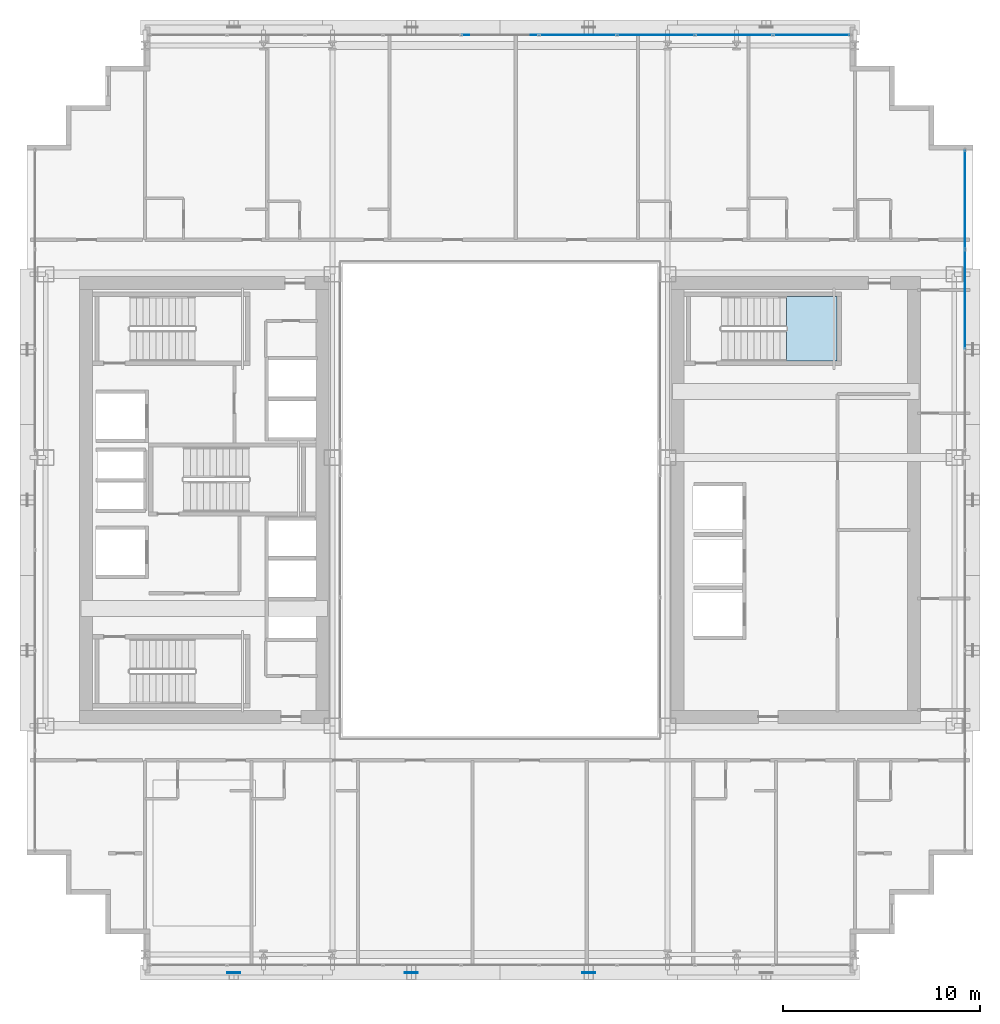
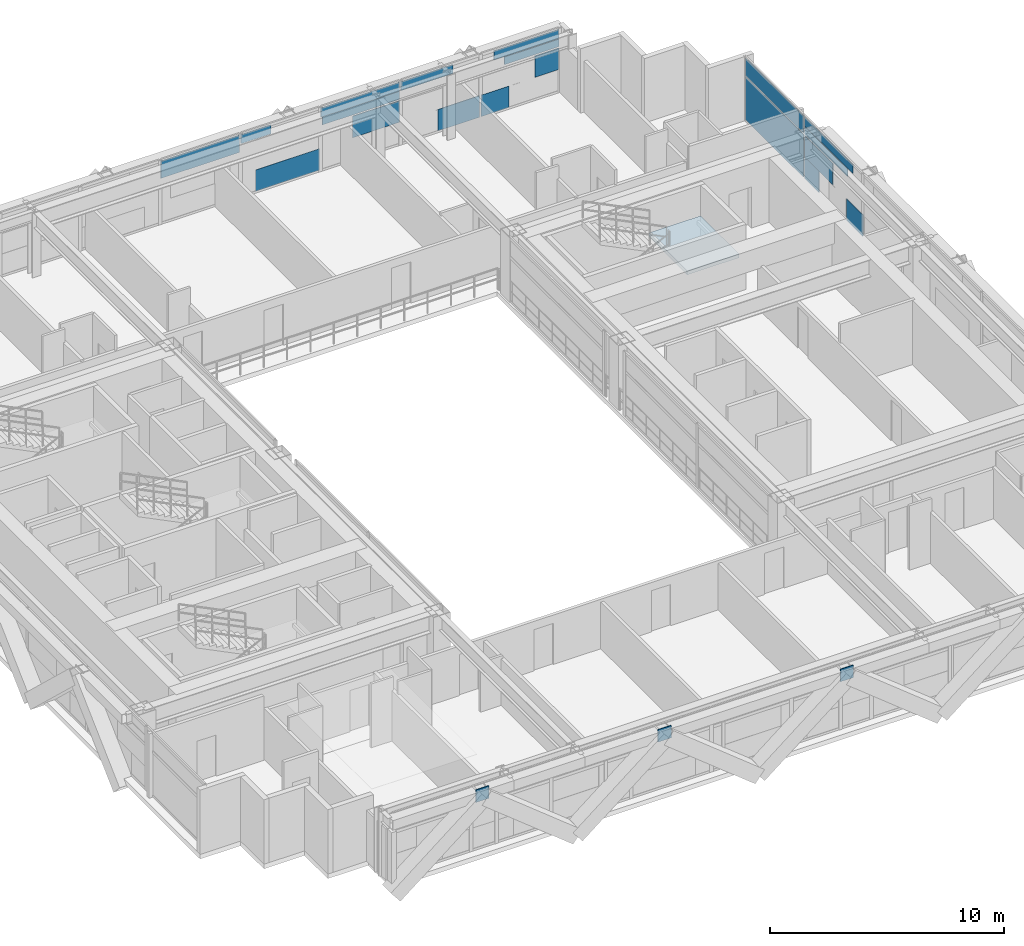
# One storey, part 28 of 39: 22 plates, 1 slab, 3 elements without a shape of their own.
"""IFC4 building model written with IfcOpenShell, lengths in metres."""

from ifc_helpers import new_model, si_unit, direction, frame, origin, origin_2d, place, context, subcontext, project, spatial, polyline, rectangle, outline, extrude, source, transform, mapped, material, layer, layer_set, type_object, element, aggregate, save


model = new_model("IFC4")

# Units and contexts
model_context = context("Model", 3, precision=1e-05, world=origin(), true_north=direction((0.0, 1.0)))
body_context = subcontext(model_context, "Body", "Model", "MODEL_VIEW")
ifc_project = project(units=[si_unit("LENGTHUNIT", "METRE"), si_unit("AREAUNIT", "SQUARE_METRE"), si_unit("VOLUMEUNIT", "CUBIC_METRE"), si_unit("PLANEANGLEUNIT", "RADIAN"), si_unit("MASSUNIT", "GRAM", prefix="KILO")], contexts=[model_context])

# Site, building, storey
site_placement = place(None, origin())
site = spatial("IfcSite", under=ifc_project, at=site_placement, CompositionType="ELEMENT")
building_placement = place(site_placement, origin())
building = spatial("IfcBuilding", under=site, at=building_placement, Name="Ocotamira Hotel", CompositionType="ELEMENT")
storey_placement = place(building_placement, frame((0.0, 0.0, 126.0)))
storey = spatial("IfcBuildingStorey", under=building, at=storey_placement, Name="L31", CompositionType="ELEMENT", Elevation=126.0)

# Stair, slab
ifc_material_1 = material(Name="Concrete C40/50", Category="concrete")
stair_type = type_object("IfcStairType", Name="ST-CORE-1560", PredefinedType="HALF_TURN_STAIR", material=ifc_material_1)
stair_placement = place(storey_placement, origin())
stair = element("IfcStair", 1, at=stair_placement, inside=storey, type_object=stair_type, Name="L31 Exit Stair ST-4", PredefinedType="HALF_TURN_STAIR")
ifc_layer_1 = layer(ifc_material_1, 0.199951171875)
ifc_layer_set_1 = layer_set([ifc_layer_1], Name="Concrete C40/50")
slab_type = type_object("IfcSlabType", Name="SLB-LAND-200", PredefinedType="LANDING", material=ifc_layer_set_1)
slab_placement = place(storey_placement, frame((0.0, 0.0, 1.60009765625)))
slab = element("IfcSlab", 2, at=slab_placement, type_object=slab_type, Name="ST-4 landing 1", PredefinedType="LANDING", context=body_context, shape_type="SweptSolid", body=[
    extrude(outline(polyline([(46.530029296875, 33.050048828125), (49.090087890625, 33.050048828125), (49.090087890625, 36.330078125), (46.530029296875, 36.330078125), (46.530029296875, 33.050048828125)])), origin(), (0.0, 0.0, 1.0), 0.199951171875),
])
aggregate(stair, [slab])

# Plates
ifc_material_2 = material(Name="Pale-metal coated steel ASTM A572 Grade 50", Category="steel")
ifc_layer_2 = layer(ifc_material_2, 0.0400390625)
ifc_layer_set_2 = layer_set([ifc_layer_2], Name="Pale-metal coated steel ASTM A572 Grade 50")
plate_type_1 = type_object("IfcPlateType", Name="PLT-GUSSET-40", PredefinedType="SHEET", material=ifc_layer_set_2)
shared_shape_1 = source(origin(), body_context, "Body", "SweptSolid", [
    extrude(rectangle(XDim=0.64990234375, YDim=0.0400390625, at=origin_2d()), origin(), (0.0, 0.0, 1.0), 0.64990234375),
])
for number, where, z_axis, x_axis, name in (
    (3, (18.5, 2.030029296875, 2.78515625), (0.0, 0.0, 1.0), (1.0, 0.0, 0.0), "L31 Exoskeleton Diagrid S0.1 End Gusset B"),
    (4, (27.5, 2.030029296875, 2.78515625), (0.0, 0.0, 1.0), (1.0, 0.0, 0.0), "L31 Exoskeleton Diagrid S1.1 End Gusset B"),
    (5, (36.5, 2.030029296875, 2.78515625), (0.0, 0.0, 1.0), (1.0, 0.0, 0.0), "L31 Exoskeleton Diagrid S2.1 End Gusset B"),
):
    element("IfcPlate", number, at=place(storey_placement, frame(where, z_axis=z_axis, x_axis=x_axis)), inside=storey, type_object=plate_type_1, Name=name, PredefinedType="SHEET", context=body_context, shape_type="MappedRepresentation", body=[
        mapped(shared_shape_1, transform((0.0, 0.0, 0.0), scale=1.0)),
    ])

# Curtain wall, plate
ifc_material_3 = material(Name="Anodised pale-metal aluminium and solar glass", Category="aluminium")
ifc_layer_3 = layer(ifc_material_3, 0.179931640625)
ifc_layer_set_3 = layer_set([ifc_layer_3], Name="Anodised pale-metal aluminium and solar glass")
curtain_wall_type = type_object("IfcCurtainWallType", Name="CW-SYS3-Z2", PredefinedType="NOTDEFINED", material=ifc_layer_set_3)
curtain_wall_1_placement = place(storey_placement, origin())
curtain_wall_1 = element("IfcCurtainWall", 6, at=curtain_wall_1_placement, inside=storey, type_object=curtain_wall_type, Name="L31 Curtain Wall CW-3 CW-L31-E", PredefinedType="NOTDEFINED")
ifc_material_4 = material(Name="Double-silver low-E insulated solar glass", Category="glass")
ifc_layer_4 = layer(ifc_material_4, 0.031982421875)
ifc_layer_set_4 = layer_set([ifc_layer_4], Name="Double-silver low-E insulated solar glass")
plate_type_2 = type_object("IfcPlateType", Name="CWP-VISION-32", PredefinedType="CURTAIN_PANEL", material=ifc_layer_set_4)
shared_shape_2 = source(origin(), body_context, "Body", "SweptSolid", [
    extrude(rectangle(XDim=4.9658203125, YDim=0.031982421875, at=origin_2d()), origin(), (0.0, 0.0, 1.0), 2.237548828125),
])
plate_1_placement = place(storey_placement, frame((55.580078125, 41.237060546875, 0.0751953125), z_axis=(0.0, 0.0, 1.0), x_axis=(0.0, 1.0, 0.0)))
plate_1 = element("IfcPlate", 7, at=plate_1_placement, type_object=plate_type_2, Name="CW-3 panel 7.1", PredefinedType="CURTAIN_PANEL", context=body_context, shape_type="MappedRepresentation", body=[
    mapped(shared_shape_2, transform((0.0, 0.0, 0.0), scale=1.0)),
])

# Curtain wall, plates
curtain_wall_2_placement = place(storey_placement, origin())
curtain_wall_2 = element("IfcCurtainWall", 8, at=curtain_wall_2_placement, inside=storey, type_object=curtain_wall_type, Name="L31 Curtain Wall CW-3 CW-L31-N", PredefinedType="NOTDEFINED")
shared_shape_3 = source(origin(), body_context, "Body", "SweptSolid", [
    extrude(rectangle(XDim=1.184326171875, YDim=0.031982421875, at=origin_2d()), origin(), (0.0, 0.0, 1.0), 1.118896484375),
])
plate_2_placement = place(storey_placement, frame((49.127685546875, 49.580078125, 1.19384765625), z_axis=(0.0, 0.0, 1.0), x_axis=(1.0, 0.0, 0.0)))
plate_2 = element("IfcPlate", 9, at=plate_2_placement, type_object=plate_type_2, Name="CW-3 panel 9.1.2", PredefinedType="CURTAIN_PANEL", context=body_context, shape_type="MappedRepresentation", body=[
    mapped(shared_shape_3, transform((0.0, 0.0, 0.0), scale=1.0)),
])
shared_shape_4 = source(origin(), body_context, "Body", "SweptSolid", [
    extrude(rectangle(XDim=1.37060546875, YDim=0.031982421875, at=origin_2d()), origin(), (0.0, 0.0, 1.0), 1.11865234375),
])
plate_3_placement = place(storey_placement, frame((46.569580078125, 49.580078125, 0.0751953125), z_axis=(0.0, 0.0, 1.0), x_axis=(1.0, 0.0, 0.0)))
plate_3 = element("IfcPlate", 10, at=plate_3_placement, type_object=plate_type_2, Name="CW-3 panel 9.1.1", PredefinedType="CURTAIN_PANEL", context=body_context, shape_type="MappedRepresentation", body=[
    mapped(shared_shape_4, transform((0.0, 0.0, 0.0), scale=1.0)),
])
shared_shape_5 = source(origin(), body_context, "Body", "SweptSolid", [
    extrude(rectangle(XDim=2.676513671875, YDim=0.031982421875, at=origin_2d()), origin(), (0.0, 0.0, 1.0), 0.39453125),
])
plate_4_placement = place(storey_placement, frame((48.381591796875, 49.580078125, 2.387451171875), z_axis=(0.0, 0.0, 1.0), x_axis=(1.0, 0.0, 0.0)))
plate_4 = element("IfcPlate", 11, at=plate_4_placement, type_object=plate_type_2, Name="CW-3 panel 9.2.2", PredefinedType="CURTAIN_PANEL", context=body_context, shape_type="MappedRepresentation", body=[
    mapped(shared_shape_5, transform((0.0, 0.0, 0.0), scale=1.0)),
])
shared_shape_6 = source(origin(), body_context, "Body", "SweptSolid", [
    extrude(rectangle(XDim=3.208740234375, YDim=0.031982421875, at=origin_2d()), origin(), (0.0, 0.0, 1.0), 0.4716796875),
])
plate_5_placement = place(storey_placement, frame((48.115478515625, 49.580078125, 2.813232421875), z_axis=(0.0, 0.0, 1.0), x_axis=(1.0, 0.0, 0.0)))
plate_5 = element("IfcPlate", 12, at=plate_5_placement, type_object=plate_type_2, Name="CW-3 panel 9.2.1", PredefinedType="CURTAIN_PANEL", context=body_context, shape_type="MappedRepresentation", body=[
    mapped(shared_shape_6, transform((0.0, 0.0, 0.0), scale=1.0)),
])
shared_shape_7 = source(origin(), body_context, "Body", "SweptSolid", [
    extrude(rectangle(XDim=2.059326171875, YDim=0.031982421875, at=origin_2d()), origin(), (0.0, 0.0, 1.0), 1.11865234375),
])
plate_6_placement = place(storey_placement, frame((44.774658203125, 49.580078125, 0.0751953125), z_axis=(0.0, 0.0, 1.0), x_axis=(1.0, 0.0, 0.0)))
plate_6 = element("IfcPlate", 13, at=plate_6_placement, type_object=plate_type_2, Name="CW-3 panel 8.1.1", PredefinedType="CURTAIN_PANEL", context=body_context, shape_type="MappedRepresentation", body=[
    mapped(shared_shape_7, transform((0.0, 0.0, 0.0), scale=1.0)),
])
shared_shape_8 = source(origin(), body_context, "Body", "SweptSolid", [
    extrude(rectangle(XDim=2.559814453125, YDim=0.031982421875, at=origin_2d()), origin(), (0.0, 0.0, 1.0), 0.4716796875),
])
plate_7_placement = place(storey_placement, frame((43.208740234375, 49.580078125, 2.813232421875), z_axis=(0.0, 0.0, 1.0), x_axis=(1.0, 0.0, 0.0)))
plate_7 = element("IfcPlate", 14, at=plate_7_placement, type_object=plate_type_2, Name="CW-3 panel 8.2.1", PredefinedType="CURTAIN_PANEL", context=body_context, shape_type="MappedRepresentation", body=[
    mapped(shared_shape_8, transform((0.0, 0.0, 0.0), scale=1.0)),
])
shared_shape_9 = source(origin(), body_context, "Body", "SweptSolid", [
    extrude(rectangle(XDim=2.313232421875, YDim=0.031982421875, at=origin_2d()), origin(), (0.0, 0.0, 1.0), 1.118896484375),
])
plate_8_placement = place(storey_placement, frame((40.6923828125, 49.580078125, 1.19384765625), z_axis=(0.0, 0.0, 1.0), x_axis=(1.0, 0.0, 0.0)))
plate_8 = element("IfcPlate", 15, at=plate_8_placement, type_object=plate_type_2, Name="CW-3 panel 7.1.1", PredefinedType="CURTAIN_PANEL", context=body_context, shape_type="MappedRepresentation", body=[
    mapped(shared_shape_9, transform((0.0, 0.0, 0.0), scale=1.0)),
])
shared_shape_10 = source(origin(), body_context, "Body", "SweptSolid", [
    extrude(rectangle(XDim=3.805419921875, YDim=0.031982421875, at=origin_2d()), origin(), (0.0, 0.0, 1.0), 0.42578125),
])
plate_9_placement = place(storey_placement, frame((39.9462890625, 49.580078125, 2.387451171875), z_axis=(0.0, 0.0, 1.0), x_axis=(1.0, 0.0, 0.0)))
plate_9 = element("IfcPlate", 16, at=plate_9_placement, type_object=plate_type_2, Name="CW-3 panel 7.2.2", PredefinedType="CURTAIN_PANEL", context=body_context, shape_type="MappedRepresentation", body=[
    mapped(shared_shape_10, transform((0.0, 0.0, 0.0), scale=1.0)),
])
shared_shape_11 = source(origin(), body_context, "Body", "SweptSolid", [
    extrude(rectangle(XDim=3.87548828125, YDim=0.031982421875, at=origin_2d()), origin(), (0.0, 0.0, 1.0), 0.4716796875),
])
plate_10_placement = place(storey_placement, frame((39.9111328125, 49.580078125, 2.813232421875), z_axis=(0.0, 0.0, 1.0), x_axis=(1.0, 0.0, 0.0)))
plate_10 = element("IfcPlate", 17, at=plate_10_placement, type_object=plate_type_2, Name="CW-3 panel 7.2.1", PredefinedType="CURTAIN_PANEL", context=body_context, shape_type="MappedRepresentation", body=[
    mapped(shared_shape_11, transform((0.0, 0.0, 0.0), scale=1.0)),
])
shared_shape_12 = source(origin(), body_context, "Body", "SweptSolid", [
    extrude(rectangle(XDim=3.148193359375, YDim=0.031982421875, at=origin_2d()), origin(), (0.0, 0.0, 1.0), 1.11865234375),
])
plate_11_placement = place(storey_placement, frame((36.319091796875, 49.580078125, 0.0751953125), z_axis=(0.0, 0.0, 1.0), x_axis=(1.0, 0.0, 0.0)))
plate_11 = element("IfcPlate", 18, at=plate_11_placement, type_object=plate_type_2, Name="CW-3 panel 6.1.1", PredefinedType="CURTAIN_PANEL", context=body_context, shape_type="MappedRepresentation", body=[
    mapped(shared_shape_12, transform((0.0, 0.0, 0.0), scale=1.0)),
])
shared_shape_13 = source(origin(), body_context, "Body", "SweptSolid", [
    extrude(rectangle(XDim=1.470947265625, YDim=0.031982421875, at=origin_2d()), origin(), (0.0, 0.0, 1.0), 0.4716796875),
])
plate_12_placement = place(storey_placement, frame((34.75341796875, 49.580078125, 2.813232421875), z_axis=(0.0, 0.0, 1.0), x_axis=(1.0, 0.0, 0.0)))
plate_12 = element("IfcPlate", 19, at=plate_12_placement, type_object=plate_type_2, Name="CW-3 panel 6.2.1", PredefinedType="CURTAIN_PANEL", context=body_context, shape_type="MappedRepresentation", body=[
    mapped(shared_shape_13, transform((0.0, 0.0, 0.0), scale=1.0)),
])
shared_shape_14 = source(origin(), body_context, "Body", "SweptSolid", [
    extrude(rectangle(XDim=3.87548828125, YDim=0.031982421875, at=origin_2d()), origin(), (0.0, 0.0, 1.0), 0.8974609375),
])
plate_13_placement = place(storey_placement, frame((32.0, 49.580078125, 2.387451171875), z_axis=(0.0, 0.0, 1.0), x_axis=(1.0, 0.0, 0.0)))
plate_13 = element("IfcPlate", 20, at=plate_13_placement, type_object=plate_type_2, Name="CW-3 panel 5.2", PredefinedType="CURTAIN_PANEL", context=body_context, shape_type="MappedRepresentation", body=[
    mapped(shared_shape_14, transform((0.0, 0.0, 0.0), scale=1.0)),
])
aggregate(curtain_wall_2, [plate_13, plate_11, plate_12, plate_8, plate_10, plate_9, plate_6, plate_7, plate_3, plate_2, plate_5, plate_4])

# Plate
shared_shape_15 = source(origin(), body_context, "Body", "SweptSolid", [
    extrude(rectangle(XDim=4.9658203125, YDim=0.031982421875, at=origin_2d()), origin(), (0.0, 0.0, 1.0), 0.8974609375),
])
plate_14_placement = place(storey_placement, frame((55.580078125, 41.237060546875, 2.387451171875), z_axis=(0.0, 0.0, 1.0), x_axis=(0.0, 1.0, 0.0)))
plate_14 = element("IfcPlate", 21, at=plate_14_placement, type_object=plate_type_2, Name="CW-3 panel 7.2", PredefinedType="CURTAIN_PANEL", context=body_context, shape_type="MappedRepresentation", body=[
    mapped(shared_shape_15, transform((0.0, 0.0, 0.0), scale=1.0)),
])

shared_shape_16 = source(origin(), body_context, "Body", "SweptSolid", [
    extrude(rectangle(XDim=1.240234375, YDim=0.031982421875, at=origin_2d()), origin(), (0.0, 0.0, 1.0), 1.11865234375),
])
plate_15_placement = place(storey_placement, frame((55.580078125, 38.05419921875, 0.0751953125), z_axis=(0.0, 0.0, 1.0), x_axis=(0.0, 1.0, 0.0)))
plate_15 = element("IfcPlate", 22, at=plate_15_placement, type_object=plate_type_2, Name="CW-3 panel 6.1.3", PredefinedType="CURTAIN_PANEL", context=body_context, shape_type="MappedRepresentation", body=[
    mapped(shared_shape_16, transform((0.0, 0.0, 0.0), scale=1.0)),
])

shared_shape_17 = source(origin(), body_context, "Body", "SweptSolid", [
    extrude(rectangle(XDim=2.426513671875, YDim=0.031982421875, at=origin_2d()), origin(), (0.0, 0.0, 1.0), 1.118896484375),
])
plate_16_placement = place(storey_placement, frame((55.580078125, 37.461181640625, 1.19384765625), z_axis=(0.0, 0.0, 1.0), x_axis=(0.0, 1.0, 0.0)))
plate_16 = element("IfcPlate", 23, at=plate_16_placement, type_object=plate_type_2, Name="CW-3 panel 6.1.2", PredefinedType="CURTAIN_PANEL", context=body_context, shape_type="MappedRepresentation", body=[
    mapped(shared_shape_17, transform((0.0, 0.0, 0.0), scale=1.0)),
])

shared_shape_18 = source(origin(), body_context, "Body", "SweptSolid", [
    extrude(rectangle(XDim=1.413330078125, YDim=0.031982421875, at=origin_2d()), origin(), (0.0, 0.0, 1.0), 1.11865234375),
])
plate_17_placement = place(storey_placement, frame((55.580078125, 34.375244140625, 0.0751953125), z_axis=(0.0, 0.0, 1.0), x_axis=(0.0, 1.0, 0.0)))
plate_17 = element("IfcPlate", 24, at=plate_17_placement, type_object=plate_type_2, Name="CW-3 panel 6.1.1", PredefinedType="CURTAIN_PANEL", context=body_context, shape_type="MappedRepresentation", body=[
    mapped(shared_shape_18, transform((0.0, 0.0, 0.0), scale=1.0)),
])

shared_shape_19 = source(origin(), body_context, "Body", "SweptSolid", [
    extrude(rectangle(XDim=3.69189453125, YDim=0.031982421875, at=origin_2d()), origin(), (0.0, 0.0, 1.0), 0.414306640625),
])
plate_18_placement = place(storey_placement, frame((55.580078125, 36.828369140625, 2.3876953125), z_axis=(0.0, 0.0, 1.0), x_axis=(0.0, 1.0, 0.0)))
plate_18 = element("IfcPlate", 25, at=plate_18_placement, type_object=plate_type_2, Name="CW-3 panel 6.2.2", PredefinedType="CURTAIN_PANEL", context=body_context, shape_type="MappedRepresentation", body=[
    mapped(shared_shape_19, transform((0.0, 0.0, 0.0), scale=1.0)),
])

shared_shape_20 = source(origin(), body_context, "Body", "SweptSolid", [
    extrude(rectangle(XDim=4.16748046875, YDim=0.031982421875, at=origin_2d()), origin(), (0.0, 0.0, 1.0), 0.44873046875),
])
plate_19_placement = place(storey_placement, frame((55.580078125, 36.590576171875, 2.836181640625), z_axis=(0.0, 0.0, 1.0), x_axis=(0.0, 1.0, 0.0)))
plate_19 = element("IfcPlate", 26, at=plate_19_placement, type_object=plate_type_2, Name="CW-3 panel 6.2.1", PredefinedType="CURTAIN_PANEL", context=body_context, shape_type="MappedRepresentation", body=[
    mapped(shared_shape_20, transform((0.0, 0.0, 0.0), scale=1.0)),
])

aggregate(curtain_wall_1, [plate_17, plate_16, plate_15, plate_19, plate_18, plate_1, plate_14])

save(model, "model.ifc")
